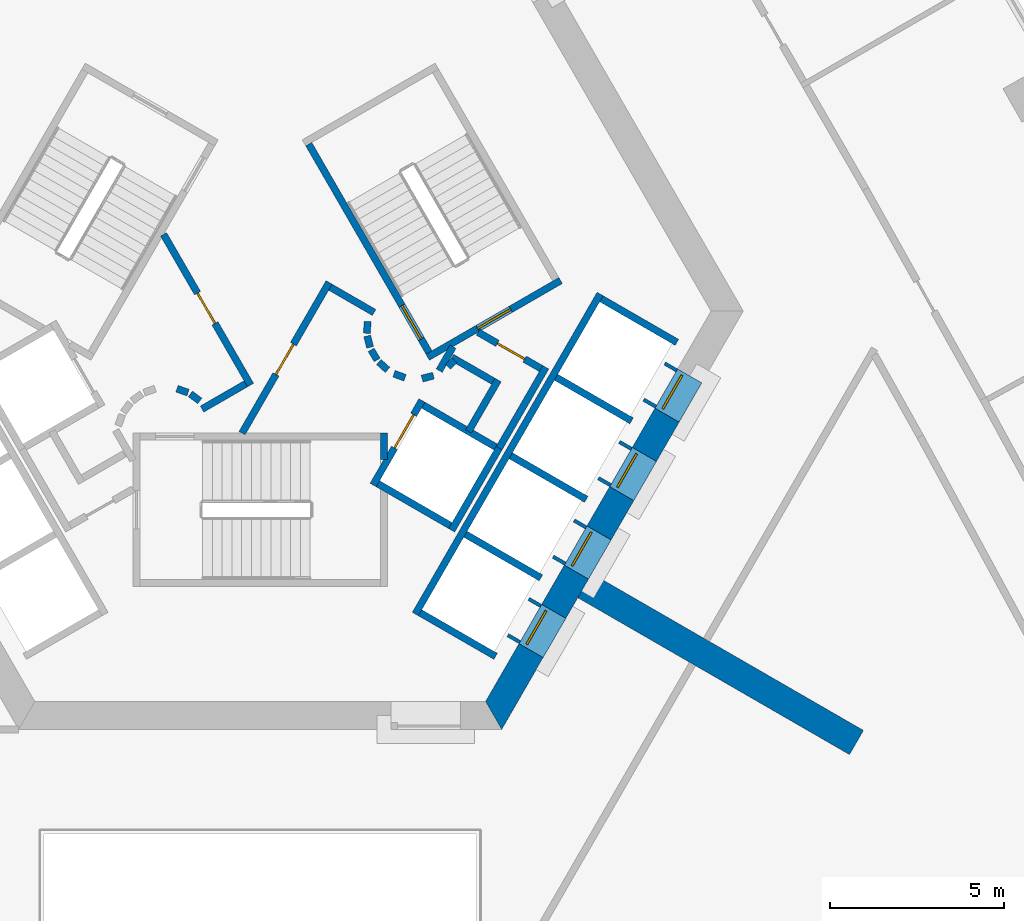
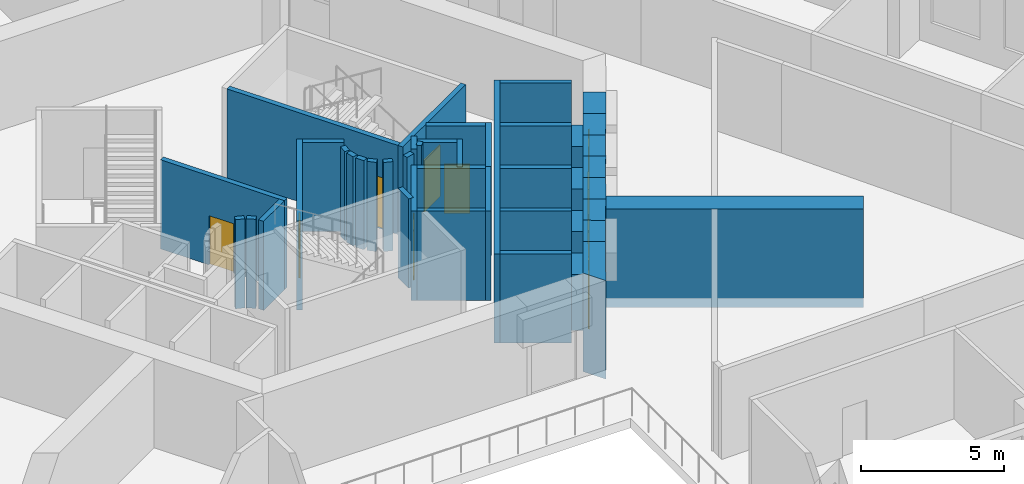
# One storey, part 7 of 14: 44 walls, 10 doors, 10 openings.
"""IFC4 building model written with IfcOpenShell, lengths in metres."""

from ifc_helpers import new_model, si_unit, direction, frame, frame_2d, origin, place, context, subcontext, project, spatial, polyline, rectangle, outline, extrude, material, layer, layer_set, type_object, element, fill, save


model = new_model("IFC4")

# Units and contexts
model_context = context("Model", 3, precision=1e-05, world=origin(), true_north=direction((0.0, 1.0)))
body_context = subcontext(model_context, "Body", "Model", "MODEL_VIEW")
ifc_project = project(units=[si_unit("LENGTHUNIT", "METRE"), si_unit("AREAUNIT", "SQUARE_METRE"), si_unit("VOLUMEUNIT", "CUBIC_METRE"), si_unit("PLANEANGLEUNIT", "RADIAN"), si_unit("MASSUNIT", "GRAM", prefix="KILO")], contexts=[model_context])

# Site, building, storey
site_placement = place(None, origin())
site = spatial("IfcSite", under=ifc_project, at=site_placement, CompositionType="ELEMENT")
building_placement = place(site_placement, origin())
building = spatial("IfcBuilding", under=site, at=building_placement, Name="Entoto Arch Interchange Tower", CompositionType="ELEMENT")
storey_placement = place(building_placement, frame((0.0, 0.0, 159.199951171875)))
storey = spatial("IfcBuildingStorey", under=building, at=storey_placement, Name="L35", CompositionType="ELEMENT", Elevation=159.199951171875)

# Walls
ifc_material_1 = material(Name="Concrete C50/60", Category="concrete")
ifc_layer_1 = layer(ifc_material_1, 0.800048828125)
ifc_layer_set_1 = layer_set([ifc_layer_1], Name="Concrete C50/60")
wall_type_1 = type_object("IfcWallType", Name="Buttress wall 800 C50/60", PredefinedType="SHEAR", material=ifc_layer_set_1)
wall_1_placement = place(storey_placement, frame((9.31005859375, -5.375, -0.39990234375), z_axis=(0.0, 0.0, 1.0), x_axis=(0.866017533419, -0.500013631625, 0.0)))
element("IfcWall", 1, at=wall_1_placement, inside=storey, type_object=wall_type_1, Name="Buttress wall SE L35", PredefinedType="SHEAR", context=body_context, shape_type="SweptSolid", body=[
    extrude(rectangle(XDim=8.999755859375, YDim=0.800048828125, at=frame_2d((4.5, 0.0))), origin(), (0.0, 0.0, 1.0), 4.199951171875),
])
ifc_layer_2 = layer(ifc_material_1, 0.800048828125)
ifc_layer_set_2 = layer_set([ifc_layer_2], Name="Concrete C50/60")
wall_type_2 = type_object("IfcWallType", Name="Core wall 800 C50/60", PredefinedType="SHEAR", material=ifc_layer_set_2)
wall_2_placement = place(storey_placement, frame((0.0, 0.0, -0.39990234375)))
element("IfcWall", 2, at=wall_2_placement, inside=storey, type_object=wall_type_2, Name="Core wall SE L35", PredefinedType="SHEAR", context=body_context, shape_type="SweptSolid", body=[
    extrude(outline(polyline([(8.116943359375, -7.43994140625), (7.424072265625, -7.0400390625), (6.466064453125, -8.699951171875), (6.927978515625, -9.5), (8.116943359375, -7.43994140625)])), origin(), (0.0, 0.0, 1.0), 4.199951171875),
])
wall_3_placement = place(storey_placement, frame((0.0, 0.0, -0.39990234375)))
element("IfcWall", 3, at=wall_3_placement, inside=storey, type_object=wall_type_2, Name="Core wall SE L35", PredefinedType="SHEAR", context=body_context, shape_type="SweptSolid", body=[
    extrude(outline(polyline([(9.4169921875, -5.18896484375), (8.72412109375, -4.7890625), (8.074951171875, -5.9140625), (8.76708984375, -6.31396484375), (9.4169921875, -5.18896484375)])), origin(), (0.0, 0.0, 1.0), 4.199951171875),
])
wall_4_placement = place(storey_placement, frame((0.0, 0.0, -0.39990234375)))
element("IfcWall", 4, at=wall_4_placement, inside=storey, type_object=wall_type_2, Name="Core wall SE L35", PredefinedType="SHEAR", context=body_context, shape_type="SweptSolid", body=[
    extrude(outline(polyline([(10.717041015625, -2.93701171875), (10.02490234375, -2.537109375), (9.3740234375, -3.6630859375), (10.06689453125, -4.06298828125), (10.717041015625, -2.93701171875)])), origin(), (0.0, 0.0, 1.0), 4.199951171875),
])
wall_5_placement = place(storey_placement, frame((0.0, 0.0, -0.39990234375)))
element("IfcWall", 5, at=wall_5_placement, inside=storey, type_object=wall_type_2, Name="Core wall SE L35", PredefinedType="SHEAR", context=body_context, shape_type="SweptSolid", body=[
    extrude(outline(polyline([(12.01708984375, -0.68603515625), (11.323974609375, -0.285888671875), (10.675048828125, -1.410888671875), (11.366943359375, -1.81103515625), (12.01708984375, -0.68603515625)])), origin(), (0.0, 0.0, 1.0), 4.199951171875),
])
wall_6_placement = place(storey_placement, frame((0.0, 0.0, 3.60009765625)))
element("IfcWall", 6, at=wall_6_placement, inside=storey, type_object=wall_type_2, Name="Core wall lintel SE L35", PredefinedType="SHEAR", context=body_context, shape_type="SweptSolid", body=[
    extrude(outline(polyline([(8.76708984375, -6.31396484375), (8.074951171875, -5.9140625), (7.424072265625, -7.0400390625), (8.116943359375, -7.43994140625), (8.76708984375, -6.31396484375)])), origin(), (0.0, 0.0, 1.0), 0.199951171875),
])
wall_7_placement = place(storey_placement, frame((0.0, 0.0, 3.60009765625)))
element("IfcWall", 7, at=wall_7_placement, inside=storey, type_object=wall_type_2, Name="Core wall lintel SE L35", PredefinedType="SHEAR", context=body_context, shape_type="SweptSolid", body=[
    extrude(outline(polyline([(10.06689453125, -4.06298828125), (9.3740234375, -3.6630859375), (8.72412109375, -4.7890625), (9.4169921875, -5.18896484375), (10.06689453125, -4.06298828125)])), origin(), (0.0, 0.0, 1.0), 0.199951171875),
])
wall_8_placement = place(storey_placement, frame((0.0, 0.0, 3.60009765625)))
element("IfcWall", 8, at=wall_8_placement, inside=storey, type_object=wall_type_2, Name="Core wall lintel SE L35", PredefinedType="SHEAR", context=body_context, shape_type="SweptSolid", body=[
    extrude(outline(polyline([(11.366943359375, -1.81103515625), (10.675048828125, -1.410888671875), (10.02490234375, -2.537109375), (10.717041015625, -2.93701171875), (11.366943359375, -1.81103515625)])), origin(), (0.0, 0.0, 1.0), 0.199951171875),
])
wall_9_placement = place(storey_placement, frame((0.0, 0.0, 3.60009765625)))
element("IfcWall", 9, at=wall_9_placement, inside=storey, type_object=wall_type_2, Name="Core wall lintel SE L35", PredefinedType="SHEAR", context=body_context, shape_type="SweptSolid", body=[
    extrude(outline(polyline([(12.6669921875, 0.43994140625), (11.97412109375, 0.840087890625), (11.323974609375, -0.285888671875), (12.01708984375, -0.68603515625), (12.6669921875, 0.43994140625)])), origin(), (0.0, 0.0, 1.0), 0.199951171875),
])

# Wall, opening, door
ifc_material_2 = material(Name="Concrete C40/50", Category="concrete")
ifc_layer_3 = layer(ifc_material_2, 1.199951171875)
ifc_layer_set_3 = layer_set([ifc_layer_3], Name="Concrete C40/50")
wall_type_3 = type_object("IfcWallType", Name="LIFT LANDING INFILL WALL", PredefinedType="STANDARD", material=ifc_layer_set_3)
wall_10_placement = place(storey_placement, frame((7.597900390625, -7.139892578125, 0.0), z_axis=(0.0, 0.0, 1.0), x_axis=(0.500362116554, 0.865816234728, 0.0)))
wall_10 = element("IfcWall", 10, at=wall_10_placement, inside=storey, type_object=wall_type_3, Name="Lift landing infill wall LR5 L35", PredefinedType="STANDARD", context=body_context, shape_type="SweptSolid", body=[
    extrude(rectangle(XDim=1.29931640625, YDim=1.199951171875, at=frame_2d((0.649658203125, 0.0))), origin(), (0.0, 0.0, 1.0), 2.400146484375),
])
opening_1_placement = place(wall_10_placement, frame((0.10009765625, 0.0, 0.0)))
opening_1 = element("IfcOpeningElement", 11, at=opening_1_placement, cuts=wall_10, Name="Opening LD-LR5-L35", PredefinedType="OPENING", context=body_context, shape_type="SweptSolid", body=[
    extrude(rectangle(XDim=1.10009765625, YDim=2.300048828125, at=frame_2d((0.550048828125, 1.14990234375))), frame((0.0, 0.60986328125, 0.0), z_axis=(0.0, -1.0, 0.0), x_axis=(1.0, 0.0, 0.0)), (0.0, 0.0, 1.0), 1.219970703125),
])
ifc_material_3 = material(Name="Stainless steel 1.4301 panels", Category="steel")
door_type_1 = type_object("IfcDoorType", Name="LIFT LANDING DOOR LD2 1100x2300", OperationType="SLIDING_TO_LEFT", PredefinedType="DOOR", material=ifc_material_3)
door_1_placement = place(opening_1_placement, origin())
door_1 = element("IfcDoor", 12, at=door_1_placement, inside=storey, type_object=door_type_1, Name="Lift landing door LR5 L35", OperationType="SLIDING_TO_LEFT", OverallHeight=2.300048828125, OverallWidth=1.10009765625, PredefinedType="DOOR", context=body_context, shape_type="SweptSolid", body=[
    extrude(rectangle(XDim=1.10009765625, YDim=2.300048828125, at=frame_2d((0.550048828125, 1.14990234375))), frame((0.0, 0.02490234375, 0.0), z_axis=(0.0, -1.0, 0.0), x_axis=(1.0, 0.0, 0.0)), (0.0, 0.0, 1.0), 0.050048828125),
])
fill(opening_1, door_1)

wall_11_placement = place(storey_placement, frame((8.89794921875, -4.888916015625, 0.0), z_axis=(0.0, 0.0, 1.0), x_axis=(0.500036693733, 0.866004217611, 0.0)))
wall_11 = element("IfcWall", 13, at=wall_11_placement, inside=storey, type_object=wall_type_3, Name="Lift landing infill wall LR6 L35", PredefinedType="STANDARD", context=body_context, shape_type="SweptSolid", body=[
    extrude(rectangle(XDim=1.30029296875, YDim=1.199951171875, at=frame_2d((0.650146484375, 0.0))), origin(), (0.0, 0.0, 1.0), 2.400146484375),
])
opening_2_placement = place(wall_11_placement, frame((0.10009765625, 0.0, 0.0)))
opening_2 = element("IfcOpeningElement", 14, at=opening_2_placement, cuts=wall_11, Name="Opening LD-LR6-L35", PredefinedType="OPENING", context=body_context, shape_type="SweptSolid", body=[
    extrude(rectangle(XDim=1.10009765625, YDim=2.300048828125, at=frame_2d((0.550048828125, 1.14990234375))), frame((0.0, 0.60986328125, 0.0), z_axis=(0.0, -1.0, 0.0), x_axis=(1.0, 0.0, 0.0)), (0.0, 0.0, 1.0), 1.219970703125),
])
door_2_placement = place(opening_2_placement, origin())
door_2 = element("IfcDoor", 15, at=door_2_placement, inside=storey, type_object=door_type_1, Name="Lift landing door LR6 L35", OperationType="SLIDING_TO_LEFT", OverallHeight=2.300048828125, OverallWidth=1.10009765625, PredefinedType="DOOR", context=body_context, shape_type="SweptSolid", body=[
    extrude(rectangle(XDim=1.10009765625, YDim=2.300048828125, at=frame_2d((0.550048828125, 1.14990234375))), frame((0.0, 0.02490234375, 0.0), z_axis=(0.0, -1.0, 0.0), x_axis=(1.0, 0.0, 0.0)), (0.0, 0.0, 1.0), 0.050048828125),
])
fill(opening_2, door_2)

wall_12_placement = place(storey_placement, frame((10.197998046875, -2.636962890625, 0.0), z_axis=(0.0, 0.0, 1.0), x_axis=(0.49989585183, 0.866085525409, 0.0)))
wall_12 = element("IfcWall", 16, at=wall_12_placement, inside=storey, type_object=wall_type_3, Name="Lift landing infill wall LR7 L35", PredefinedType="STANDARD", context=body_context, shape_type="SweptSolid", body=[
    extrude(rectangle(XDim=1.300048828125, YDim=1.199951171875, at=frame_2d((0.64990234375, 0.0))), origin(), (0.0, 0.0, 1.0), 2.400146484375),
])
opening_3_placement = place(wall_12_placement, frame((0.10009765625, 0.0, 0.0)))
opening_3 = element("IfcOpeningElement", 17, at=opening_3_placement, cuts=wall_12, Name="Opening LD-LR7-L35", PredefinedType="OPENING", context=body_context, shape_type="SweptSolid", body=[
    extrude(rectangle(XDim=1.10009765625, YDim=2.300048828125, at=frame_2d((0.550048828125, 1.14990234375))), frame((0.0, 0.60986328125, 0.0), z_axis=(0.0, -1.0, 0.0), x_axis=(1.0, 0.0, 0.0)), (0.0, 0.0, 1.0), 1.219970703125),
])
door_3_placement = place(opening_3_placement, origin())
door_3 = element("IfcDoor", 18, at=door_3_placement, inside=storey, type_object=door_type_1, Name="Lift landing door LR7 L35", OperationType="SLIDING_TO_LEFT", OverallHeight=2.300048828125, OverallWidth=1.10009765625, PredefinedType="DOOR", context=body_context, shape_type="SweptSolid", body=[
    extrude(rectangle(XDim=1.10009765625, YDim=2.300048828125, at=frame_2d((0.550048828125, 1.14990234375))), frame((0.0, 0.02490234375, 0.0), z_axis=(0.0, -1.0, 0.0), x_axis=(1.0, 0.0, 0.0)), (0.0, 0.0, 1.0), 0.050048828125),
])
fill(opening_3, door_3)

wall_13_placement = place(storey_placement, frame((11.498046875, -0.385009765625, 0.0), z_axis=(0.0, 0.0, 1.0), x_axis=(0.500221244143, 0.865897630733, 0.0)))
wall_13 = element("IfcWall", 19, at=wall_13_placement, inside=storey, type_object=wall_type_3, Name="Lift landing infill wall LR8 L35", PredefinedType="STANDARD", context=body_context, shape_type="SweptSolid", body=[
    extrude(rectangle(XDim=1.29931640625, YDim=1.199951171875, at=frame_2d((0.649658203125, 0.0))), origin(), (0.0, 0.0, 1.0), 2.400146484375),
])
opening_4_placement = place(wall_13_placement, frame((0.10009765625, 0.0, 0.0)))
opening_4 = element("IfcOpeningElement", 20, at=opening_4_placement, cuts=wall_13, Name="Opening LD-LR8-L35", PredefinedType="OPENING", context=body_context, shape_type="SweptSolid", body=[
    extrude(rectangle(XDim=1.10009765625, YDim=2.300048828125, at=frame_2d((0.550048828125, 1.14990234375))), frame((0.0, 0.60986328125, 0.0), z_axis=(0.0, -1.0, 0.0), x_axis=(1.0, 0.0, 0.0)), (0.0, 0.0, 1.0), 1.219970703125),
])
door_4_placement = place(opening_4_placement, origin())
door_4 = element("IfcDoor", 21, at=door_4_placement, inside=storey, type_object=door_type_1, Name="Lift landing door LR8 L35", OperationType="SLIDING_TO_LEFT", OverallHeight=2.300048828125, OverallWidth=1.10009765625, PredefinedType="DOOR", context=body_context, shape_type="SweptSolid", body=[
    extrude(rectangle(XDim=1.10009765625, YDim=2.300048828125, at=frame_2d((0.550048828125, 1.14990234375))), frame((0.0, 0.02490234375, 0.0), z_axis=(0.0, -1.0, 0.0), x_axis=(1.0, 0.0, 0.0)), (0.0, 0.0, 1.0), 0.050048828125),
])
fill(opening_4, door_4)

ifc_layer_4 = layer(ifc_material_2, 0.199951171875)
ifc_layer_set_4 = layer_set([ifc_layer_4], Name="Concrete C40/50")
wall_type_4 = type_object("IfcWallType", Name="LIFT SHAFT WALL 200", PredefinedType="STANDARD", material=ifc_layer_set_4)
wall_14_placement = place(storey_placement, frame((3.239990234375, -2.488037109375, 0.0), z_axis=(0.0, 0.0, 1.0), x_axis=(0.49994636267, 0.866056369097, 0.0)))
wall_14 = element("IfcWall", 22, at=wall_14_placement, inside=storey, type_object=wall_type_4, Name="Shaft wall SE1 front", PredefinedType="STANDARD", context=body_context, shape_type="SweptSolid", body=[
    extrude(rectangle(XDim=2.800048828125, YDim=0.199951171875, at=frame_2d((1.39990234375, 0.0))), origin(), (0.0, 0.0, 1.0), 3.800048828125),
])
opening_5_placement = place(wall_14_placement, frame((1.22509765625, 0.0, 0.0)))
opening_5 = element("IfcOpeningElement", 23, at=opening_5_placement, cuts=wall_14, Name="Opening LD-FF1-L35", PredefinedType="OPENING", context=body_context, shape_type="SweptSolid", body=[
    extrude(rectangle(XDim=1.10009765625, YDim=2.10009765625, at=frame_2d((0.550048828125, 1.050048828125))), frame((0.0, 0.10986328125, 0.0), z_axis=(0.0, -1.0, 0.0), x_axis=(1.0, 0.0, 0.0)), (0.0, 0.0, 1.0), 0.219970703125),
])
door_type_2 = type_object("IfcDoorType", Name="LIFT LANDING DOOR LD1 1100x2100", OperationType="SLIDING_TO_LEFT", PredefinedType="DOOR", material=ifc_material_3)
door_5_placement = place(opening_5_placement, origin())
door_5 = element("IfcDoor", 24, at=door_5_placement, inside=storey, type_object=door_type_2, Name="Lift landing door FF1 L35", OperationType="SLIDING_TO_LEFT", OverallHeight=2.10009765625, OverallWidth=1.10009765625, PredefinedType="DOOR", context=body_context, shape_type="SweptSolid", body=[
    extrude(rectangle(XDim=1.10009765625, YDim=2.10009765625, at=frame_2d((0.550048828125, 1.050048828125))), frame((0.0, 0.02490234375, 0.0), z_axis=(0.0, -1.0, 0.0), x_axis=(1.0, 0.0, 0.0)), (0.0, 0.0, 1.0), 0.050048828125),
])
fill(opening_5, door_5)

# Walls
wall_15_placement = place(storey_placement, frame((5.491943359375, -3.7880859375, 0.0), z_axis=(0.0, 0.0, 1.0), x_axis=(0.500011755427, 0.866018616679, 0.0)))
element("IfcWall", 25, at=wall_15_placement, inside=storey, type_object=wall_type_4, Name="Shaft wall SE1 back", PredefinedType="STANDARD", context=body_context, shape_type="SweptSolid", body=[
    extrude(rectangle(XDim=2.80029296875, YDim=0.199951171875, at=frame_2d((1.400146484375, 0.0))), origin(), (0.0, 0.0, 1.0), 3.800048828125),
])
wall_16_placement = place(storey_placement, frame((3.376953125, -2.451904296875, 0.0), z_axis=(0.0, 0.0, 1.0), x_axis=(0.865955154139, -0.50012165622, 0.0)))
element("IfcWall", 26, at=wall_16_placement, inside=storey, type_object=wall_type_4, Name="Shaft wall SE1 cross 1", PredefinedType="STANDARD", context=body_context, shape_type="SweptSolid", body=[
    extrude(rectangle(XDim=2.39990234375, YDim=0.199951171875, at=frame_2d((1.199951171875, 0.0))), origin(), (0.0, 0.0, 1.0), 3.800048828125),
])
wall_17_placement = place(storey_placement, frame((4.677001953125, -0.199951171875, 0.0), z_axis=(0.0, 0.0, 1.0), x_axis=(0.865973769406, -0.500089422704, 0.0)))
element("IfcWall", 27, at=wall_17_placement, inside=storey, type_object=wall_type_4, Name="Shaft wall SE1 cross 2", PredefinedType="STANDARD", context=body_context, shape_type="SweptSolid", body=[
    extrude(rectangle(XDim=2.3994140625, YDim=0.199951171875, at=frame_2d((1.19970703125, 0.0))), origin(), (0.0, 0.0, 1.0), 3.800048828125),
])
wall_18_placement = place(storey_placement, frame((4.450927734375, -6.18994140625, 0.0), z_axis=(0.0, 0.0, 1.0), x_axis=(0.50000090737, 0.866024879913, 0.0)))
element("IfcWall", 28, at=wall_18_placement, inside=storey, type_object=wall_type_4, Name="Shaft wall SE3 front", PredefinedType="STANDARD", context=body_context, shape_type="SweptSolid", body=[
    extrude(rectangle(XDim=10.60009765625, YDim=0.199951171875, at=frame_2d((5.300048828125, 0.0))), origin(), (0.0, 0.0, 1.0), 3.800048828125),
])
for number, where, z_axis, x_axis, name in (
    (29, (4.587890625, -6.153076171875, 0.0), (0.0, 0.0, 1.0), (0.866022959057, -0.500004234368, 0.0), "Shaft wall SE3 cross 1"),
    (30, (5.887939453125, -3.902099609375, 0.0), (0.0, 0.0, 1.0), (0.866022959057, -0.500004234368, 0.0), "Shaft wall SE3 cross 2"),
    (31, (7.18798828125, -1.64990234375, 0.0), (0.0, 0.0, 1.0), (0.866022959057, -0.500004234368, 0.0), "Shaft wall SE3 cross 3"),
    (32, (8.488037109375, 0.60205078125, 0.0), (0.0, 0.0, 1.0), (0.866022959057, -0.500004234368, 0.0), "Shaft wall SE3 cross 4"),
):
    element("IfcWall", number, at=place(storey_placement, frame(where, z_axis=z_axis, x_axis=x_axis)), inside=storey, type_object=wall_type_4, Name=name, PredefinedType="STANDARD", context=body_context, shape_type="SweptSolid", body=[
        extrude(rectangle(XDim=2.5, YDim=0.199951171875, at=frame_2d((1.25, 0.0))), origin(), (0.0, 0.0, 1.0), 3.800048828125),
    ])
wall_19_placement = place(storey_placement, frame((9.7880859375, 2.85302734375, 0.0), z_axis=(0.0, 0.0, 1.0), x_axis=(0.865998541277, -0.500046524342, 0.0)))
element("IfcWall", 33, at=wall_19_placement, inside=storey, type_object=wall_type_4, Name="Shaft wall SE3 cross 5", PredefinedType="STANDARD", context=body_context, shape_type="SweptSolid", body=[
    extrude(rectangle(XDim=2.499755859375, YDim=0.199951171875, at=frame_2d((1.25, 0.0))), origin(), (0.0, 0.0, 1.0), 3.800048828125),
])
ifc_material_4 = material(Name="Gypsum board partition on steel studs", Category="steel")
ifc_layer_5 = layer(ifc_material_4, 0.199951171875)
ifc_layer_set_5 = layer_set([ifc_layer_5], Name="Gypsum board partition on steel studs")
wall_type_5 = type_object("IfcWallType", Name="PARTITION 200", PredefinedType="PARTITIONING", material=ifc_layer_set_5)
wall_20_placement = place(storey_placement, frame((5.389892578125, 0.89794921875, 0.0), z_axis=(0.0, 0.0, 1.0), x_axis=(0.673828488714, 0.738887791073, 0.0)))
element("IfcWall", 34, at=wall_20_placement, inside=storey, type_object=wall_type_5, Name="wall:L35:p074", PredefinedType="PARTITIONING", context=body_context, shape_type="SweptSolid", body=[
    extrude(rectangle(XDim=0.2626953125, YDim=0.199951171875, at=frame_2d((0.13134765625, 0.0))), origin(), (0.0, 0.0, 1.0), 3.800048828125),
])
wall_21_placement = place(storey_placement, frame((5.4990234375, 1.172119140625, 0.0), z_axis=(0.0, 0.0, 1.0), x_axis=(0.866333505267, -0.499465972466, 0.0)))
element("IfcWall", 35, at=wall_21_placement, inside=storey, type_object=wall_type_5, Name="wall:L35:p075", PredefinedType="PARTITIONING", context=body_context, shape_type="SweptSolid", body=[
    extrude(rectangle(XDim=1.37353515625, YDim=0.199951171875, at=frame_2d((0.686767578125, 0.0))), origin(), (0.0, 0.0, 1.0), 3.800048828125),
])
wall_22_placement = place(storey_placement, frame((6.825927734375, 0.52197265625, 0.0), z_axis=(0.0, 0.0, 1.0), x_axis=(-0.500016722714, -0.866015748706, 0.0)))
element("IfcWall", 36, at=wall_22_placement, inside=storey, type_object=wall_type_5, Name="wall:L35:p076", PredefinedType="PARTITIONING", context=body_context, shape_type="SweptSolid", body=[
    extrude(rectangle(XDim=1.69970703125, YDim=0.199951171875, at=frame_2d((0.849853515625, 0.0))), origin(), (0.0, 0.0, 1.0), 3.800048828125),
])

# Wall, opening, door
wall_23_placement = place(storey_placement, frame((6.25, 1.89404296875, 0.0), z_axis=(0.0, 0.0, 1.0), x_axis=(0.866043184279, -0.499969202016, 0.0)))
wall_23 = element("IfcWall", 37, at=wall_23_placement, inside=storey, type_object=wall_type_5, Name="wall:L35:p077", PredefinedType="PARTITIONING", context=body_context, shape_type="SweptSolid", body=[
    extrude(rectangle(XDim=2.084228515625, YDim=0.199951171875, at=frame_2d((1.0419921875, 0.0))), origin(), (0.0, 0.0, 1.0), 3.800048828125),
])
opening_6_placement = place(wall_23_placement, frame((0.64208984375, 0.0, 0.0)))
opening_6 = element("IfcOpeningElement", 38, at=opening_6_placement, cuts=wall_23, Name="Opening L35-D32", PredefinedType="OPENING", context=body_context, shape_type="SweptSolid", body=[
    extrude(rectangle(XDim=0.89990234375, YDim=2.10009765625, at=frame_2d((0.449951171875, 1.050048828125))), frame((0.0, 0.10986328125, 0.0), z_axis=(0.0, -1.0, 0.0), x_axis=(1.0, 0.0, 0.0)), (0.0, 0.0, 1.0), 0.219970703125),
])
ifc_material_5 = material(Name="Timber door leaf in Steel S235 frame", Category="steel")
door_type_3 = type_object("IfcDoorType", Name="DOOR DS-09 900x2100", OperationType="SINGLE_SWING_LEFT", PredefinedType="DOOR", material=ifc_material_5)
door_6_placement = place(opening_6_placement, origin())
door_6 = element("IfcDoor", 39, at=door_6_placement, inside=storey, type_object=door_type_3, Name="door:L35:32", OperationType="SINGLE_SWING_LEFT", OverallHeight=2.10009765625, OverallWidth=0.89990234375, PredefinedType="DOOR", context=body_context, shape_type="SweptSolid", body=[
    extrude(rectangle(XDim=0.89990234375, YDim=2.10009765625, at=frame_2d((0.449951171875, 1.050048828125))), frame((0.0, 0.02490234375, 0.0), z_axis=(0.0, -1.0, 0.0), x_axis=(1.0, 0.0, 0.0)), (0.0, 0.0, 1.0), 0.050048828125),
])
fill(opening_6, door_6)

# Walls
wall_24_placement = place(storey_placement, frame((8.19189453125, 0.887939453125, 0.0), z_axis=(0.0, 0.0, 1.0), x_axis=(-0.499940625693, -0.866059680843, 0.0)))
element("IfcWall", 40, at=wall_24_placement, inside=storey, type_object=wall_type_5, Name="wall:L35:p078", PredefinedType="PARTITIONING", context=body_context, shape_type="SweptSolid", body=[
    extrude(rectangle(XDim=2.679931640625, YDim=0.199951171875, at=frame_2d((1.33984375, 0.0))), origin(), (0.0, 0.0, 1.0), 3.800048828125),
])
wall_25_placement = place(storey_placement, frame((5.135009765625, 0.79296875, 0.0), z_axis=(0.0, 0.0, 1.0), x_axis=(0.499526442893, 0.866298639529, 0.0)))
element("IfcWall", 41, at=wall_25_placement, inside=storey, type_object=wall_type_5, Name="wall:L35:p079", PredefinedType="PARTITIONING", context=body_context, shape_type="SweptSolid", body=[
    extrude(rectangle(XDim=0.790771484375, YDim=0.199951171875, at=frame_2d((0.3955078125, 0.0))), origin(), (0.0, 0.0, 1.0), 3.800048828125),
])

# Wall, opening, door
wall_26_placement = place(storey_placement, frame((-0.52001953125, -1.0, 0.0), z_axis=(0.0, 0.0, 1.0), x_axis=(0.50011622646, 0.865958290007, 0.0)))
wall_26 = element("IfcWall", 42, at=wall_26_placement, inside=storey, type_object=wall_type_5, Name="wall:L35:p088", PredefinedType="PARTITIONING", context=body_context, shape_type="SweptSolid", body=[
    extrude(rectangle(XDim=4.990966796875, YDim=0.199951171875, at=frame_2d((2.49560546875, 0.0))), origin(), (0.0, 0.0, 1.0), 3.800048828125),
])
opening_7_placement = place(wall_26_placement, frame((1.945068359375, 0.0, 0.0)))
opening_7 = element("IfcOpeningElement", 43, at=opening_7_placement, cuts=wall_26, Name="Opening L35-D30", PredefinedType="OPENING", context=body_context, shape_type="SweptSolid", body=[
    extrude(rectangle(XDim=1.0, YDim=2.10009765625, at=frame_2d((0.5, 1.050048828125))), frame((0.0, 0.10986328125, 0.0), z_axis=(0.0, -1.0, 0.0), x_axis=(1.0, 0.0, 0.0)), (0.0, 0.0, 1.0), 0.219970703125),
])
ifc_material_6 = material(Name="Fire-rated Steel S235 door and frame", Category="steel")
door_type_4 = type_object("IfcDoorType", Name="DOOR FD-10 1000x2100", OperationType="SINGLE_SWING_LEFT", PredefinedType="DOOR", material=ifc_material_6)
door_7_placement = place(opening_7_placement, origin())
door_7 = element("IfcDoor", 44, at=door_7_placement, inside=storey, type_object=door_type_4, Name="door:L35:30", OperationType="SINGLE_SWING_LEFT", OverallHeight=2.10009765625, OverallWidth=1.0, PredefinedType="DOOR", context=body_context, shape_type="SweptSolid", body=[
    extrude(rectangle(XDim=1.0, YDim=2.10009765625, at=frame_2d((0.5, 1.050048828125))), frame((0.0, 0.02490234375, 0.0), z_axis=(0.0, -1.0, 0.0), x_axis=(1.0, 0.0, 0.0)), (0.0, 0.0, 1.0), 0.050048828125),
])
fill(opening_7, door_7)

# Walls
wall_27_placement = place(storey_placement, frame((2.011962890625, 3.18603515625, 0.0), z_axis=(0.0, 0.0, 1.0), x_axis=(0.865891012941, -0.500232699559, 0.0)))
element("IfcWall", 45, at=wall_27_placement, inside=storey, type_object=wall_type_5, Name="wall:L35:p089", PredefinedType="PARTITIONING", context=body_context, shape_type="SweptSolid", body=[
    extrude(rectangle(XDim=1.449462890625, YDim=0.199951171875, at=frame_2d((0.724609375, 0.0))), origin(), (0.0, 0.0, 1.0), 3.800048828125),
])
wall_28_placement = place(storey_placement, frame((3.0791015625, 2.198974609375, 0.0), z_axis=(0.0, 0.0, 1.0), x_axis=(-0.047771483479, -0.998858290933, 0.0)))
element("IfcWall", 46, at=wall_28_placement, inside=storey, type_object=wall_type_5, Name="wall:L35:p090", PredefinedType="PARTITIONING", context=body_context, shape_type="SweptSolid", body=[
    extrude(rectangle(XDim=0.33740234375, YDim=0.199951171875, at=frame_2d((0.168701171875, 0.0))), origin(), (0.0, 0.0, 1.0), 3.800048828125),
])
wall_29_placement = place(storey_placement, frame((3.070068359375, 1.785888671875, 0.0), z_axis=(0.0, 0.0, 1.0), x_axis=(0.242705583207, -0.970099994784, 0.0)))
element("IfcWall", 47, at=wall_29_placement, inside=storey, type_object=wall_type_5, Name="wall:L35:p091", PredefinedType="PARTITIONING", context=body_context, shape_type="SweptSolid", body=[
    extrude(rectangle(XDim=0.337890625, YDim=0.199951171875, at=frame_2d((0.1689453125, 0.0))), origin(), (0.0, 0.0, 1.0), 3.800048828125),
])
for number, where, z_axis, x_axis, name in (
    (48, (3.181884765625, 1.387939453125, 0.0), (0.0, 0.0, 1.0), (0.512474702713, -0.85870232274, 0.0), "wall:L35:p092"),
    (49, (3.404052734375, 1.0390625, 0.0), (0.0, 0.0, 1.0), (0.740267097712, -0.672312891476, 0.0), "wall:L35:p093"),
):
    element("IfcWall", number, at=place(storey_placement, frame(where, z_axis=z_axis, x_axis=x_axis)), inside=storey, type_object=wall_type_5, Name=name, PredefinedType="PARTITIONING", context=body_context, shape_type="SweptSolid", body=[
        extrude(rectangle(XDim=0.337646484375, YDim=0.199951171875, at=frame_2d((0.1689453125, 0.0))), origin(), (0.0, 0.0, 1.0), 3.800048828125),
    ])
wall_30_placement = place(storey_placement, frame((3.837890625, 0.701904296875, 0.0), z_axis=(0.0, 0.0, 1.0), x_axis=(0.941035081519, -0.338308993895, 0.0)))
element("IfcWall", 50, at=wall_30_placement, inside=storey, type_object=wall_type_5, Name="wall:L35:p094", PredefinedType="PARTITIONING", context=body_context, shape_type="SweptSolid", body=[
    extrude(rectangle(XDim=0.3369140625, YDim=0.199951171875, at=frame_2d((0.16845703125, 0.0))), origin(), (0.0, 0.0, 1.0), 3.800048828125),
])
wall_31_placement = place(storey_placement, frame((4.64404296875, 0.56396484375, 0.0), z_axis=(0.0, 0.0, 1.0), x_axis=(0.969929076366, 0.243387729394, 0.0)))
element("IfcWall", 51, at=wall_31_placement, inside=storey, type_object=wall_type_5, Name="wall:L35:p095", PredefinedType="PARTITIONING", context=body_context, shape_type="SweptSolid", body=[
    extrude(rectangle(XDim=0.337158203125, YDim=0.199951171875, at=frame_2d((0.16845703125, 0.0))), origin(), (0.0, 0.0, 1.0), 3.800048828125),
])

# Wall, opening, door
wall_32_placement = place(storey_placement, frame((-2.77099609375, 4.699951171875, 0.0), z_axis=(0.0, 0.0, 1.0), x_axis=(0.499969479948, -0.866043023828, 0.0)))
wall_32 = element("IfcWall", 52, at=wall_32_placement, inside=storey, type_object=wall_type_5, Name="wall:L35:p096", PredefinedType="PARTITIONING", context=body_context, shape_type="SweptSolid", body=[
    extrude(rectangle(XDim=4.990478515625, YDim=0.199951171875, at=frame_2d((2.4951171875, 0.0))), origin(), (0.0, 0.0, 1.0), 3.800048828125),
])
opening_8_placement = place(wall_32_placement, frame((1.945068359375, 0.0, 0.0)))
opening_8 = element("IfcOpeningElement", 53, at=opening_8_placement, cuts=wall_32, Name="Opening L35-D31", PredefinedType="OPENING", context=body_context, shape_type="SweptSolid", body=[
    extrude(rectangle(XDim=1.0, YDim=2.10009765625, at=frame_2d((0.5, 1.050048828125))), frame((0.0, 0.10986328125, 0.0), z_axis=(0.0, -1.0, 0.0), x_axis=(1.0, 0.0, 0.0)), (0.0, 0.0, 1.0), 0.219970703125),
])
door_8_placement = place(opening_8_placement, origin())
door_8 = element("IfcDoor", 54, at=door_8_placement, inside=storey, type_object=door_type_4, Name="door:L35:31", OperationType="SINGLE_SWING_RIGHT", OverallHeight=2.10009765625, OverallWidth=1.0, PredefinedType="DOOR", context=body_context, shape_type="SweptSolid", body=[
    extrude(rectangle(XDim=1.0, YDim=2.10009765625, at=frame_2d((0.5, 1.050048828125))), frame((0.0, 0.02490234375, 0.0), z_axis=(0.0, -1.0, 0.0), x_axis=(1.0, 0.0, 0.0)), (0.0, 0.0, 1.0), 0.050048828125),
])
fill(opening_8, door_8)

# Walls
wall_33_placement = place(storey_placement, frame((-0.412109375, 0.4140625, 0.0), z_axis=(0.0, 0.0, 1.0), x_axis=(-0.866017369001, -0.500013916395, 0.0)))
element("IfcWall", 55, at=wall_33_placement, inside=storey, type_object=wall_type_5, Name="wall:L35:p097", PredefinedType="PARTITIONING", context=body_context, shape_type="SweptSolid", body=[
    extrude(rectangle(XDim=1.4501953125, YDim=0.199951171875, at=frame_2d((0.72509765625, 0.0))), origin(), (0.0, 0.0, 1.0), 3.800048828125),
])
wall_34_placement = place(storey_placement, frame((-1.73095703125, -0.076904296875, 0.0), z_axis=(0.0, 0.0, 1.0), x_axis=(-0.804311165252, 0.594208338422, 0.0)))
element("IfcWall", 56, at=wall_34_placement, inside=storey, type_object=wall_type_5, Name="wall:L35:p098", PredefinedType="PARTITIONING", context=body_context, shape_type="SweptSolid", body=[
    extrude(rectangle(XDim=0.338134765625, YDim=0.199951171875, at=frame_2d((0.1689453125, 0.0))), origin(), (0.0, 0.0, 1.0), 3.800048828125),
])
wall_35_placement = place(storey_placement, frame((-2.070068359375, 0.159912109375, 0.0), z_axis=(0.0, 0.0, 1.0), x_axis=(-0.942199461132, 0.335052496547, 0.0)))
element("IfcWall", 57, at=wall_35_placement, inside=storey, type_object=wall_type_5, Name="wall:L35:p099", PredefinedType="PARTITIONING", context=body_context, shape_type="SweptSolid", body=[
    extrude(rectangle(XDim=0.33740234375, YDim=0.199951171875, at=frame_2d((0.168701171875, 0.0))), origin(), (0.0, 0.0, 1.0), 3.800048828125),
])
ifc_layer_6 = layer(ifc_material_2, 0.199951171875)
ifc_layer_set_6 = layer_set([ifc_layer_6], Name="Concrete C40/50")
wall_type_6 = type_object("IfcWallType", Name="STAIR ENCLOSURE WALL 200", PredefinedType="STANDARD", material=ifc_layer_set_6)
wall_36_placement = place(storey_placement, frame((3.550048828125, -1.0, 0.0), z_axis=(0.0, 0.0, 1.0), x_axis=(0.0, -1.0, 0.0)))
element("IfcWall", 58, at=wall_36_placement, inside=storey, type_object=wall_type_6, Name="Stair wall ST-S far return", PredefinedType="STANDARD", context=body_context, shape_type="SweptSolid", body=[
    extrude(rectangle(XDim=0.7509765625, YDim=0.199951171875, at=frame_2d((0.37548828125, 0.0))), origin(), (0.0, 0.0, 1.0), 3.800048828125),
])

# Wall, opening, door
wall_37_placement = place(storey_placement, frame((4.805908203125, 1.176025390625, 0.0), z_axis=(0.0, 0.0, 1.0), x_axis=(0.866059941101, 0.499940174841, 0.0)))
wall_37 = element("IfcWall", 59, at=wall_37_placement, inside=storey, type_object=wall_type_6, Name="Stair wall ST-NE near", PredefinedType="STANDARD", context=body_context, shape_type="SweptSolid", body=[
    extrude(rectangle(XDim=4.400390625, YDim=0.199951171875, at=frame_2d((2.2001953125, 0.0))), origin(), (0.0, 0.0, 1.0), 3.800048828125),
])
opening_9_placement = place(wall_37_placement, frame((1.64990234375, 0.0, 0.0)))
opening_9 = element("IfcOpeningElement", 60, at=opening_9_placement, cuts=wall_37, Name="Opening SD-ST-NE-L35-E", PredefinedType="OPENING", context=body_context, shape_type="SweptSolid", body=[
    extrude(rectangle(XDim=1.10009765625, YDim=2.199951171875, at=frame_2d((0.550048828125, 1.10009765625))), frame((0.0, 0.10986328125, 0.0), z_axis=(0.0, -1.0, 0.0), x_axis=(1.0, 0.0, 0.0)), (0.0, 0.0, 1.0), 0.219970703125),
])
ifc_material_7 = material(Name="Steel S235", Category="steel")
door_type_5 = type_object("IfcDoorType", Name="STAIR DOOR SD1 1100x2200", OperationType="SINGLE_SWING_LEFT", PredefinedType="DOOR", material=ifc_material_7)
door_9_placement = place(opening_9_placement, origin())
door_9 = element("IfcDoor", 61, at=door_9_placement, inside=storey, type_object=door_type_5, Name="Stair door ST-NE L35 end", OperationType="SINGLE_SWING_LEFT", OverallHeight=2.199951171875, OverallWidth=1.10009765625, PredefinedType="DOOR", context=body_context, shape_type="SweptSolid", body=[
    extrude(rectangle(XDim=1.10009765625, YDim=2.199951171875, at=frame_2d((0.550048828125, 1.10009765625))), frame((0.0, 0.02490234375, 0.0), z_axis=(0.0, -1.0, 0.0), x_axis=(1.0, 0.0, 0.0)), (0.0, 0.0, 1.0), 0.050048828125),
])
fill(opening_9, door_9)

wall_38_placement = place(storey_placement, frame((4.843017578125, 1.31201171875, 0.0), z_axis=(0.0, 0.0, 1.0), x_axis=(-0.499963383562, 0.866046543262, 0.0)))
wall_38 = element("IfcWall", 62, at=wall_38_placement, inside=storey, type_object=wall_type_6, Name="Stair wall ST-NE hall", PredefinedType="STANDARD", context=body_context, shape_type="SweptSolid", body=[
    extrude(rectangle(XDim=6.900390625, YDim=0.199951171875, at=frame_2d((3.4501953125, 0.0))), origin(), (0.0, 0.0, 1.0), 3.800048828125),
])
opening_10_placement = place(wall_38_placement, frame((0.449951171875, 0.0, 0.0)))
opening_10 = element("IfcOpeningElement", 63, at=opening_10_placement, cuts=wall_38, Name="Opening SD-ST-NE-L35", PredefinedType="OPENING", context=body_context, shape_type="SweptSolid", body=[
    extrude(rectangle(XDim=1.10009765625, YDim=2.199951171875, at=frame_2d((0.550048828125, 1.10009765625))), frame((0.0, 0.10986328125, 0.0), z_axis=(0.0, -1.0, 0.0), x_axis=(1.0, 0.0, 0.0)), (0.0, 0.0, 1.0), 0.219970703125),
])
door_10_placement = place(opening_10_placement, origin())
door_10 = element("IfcDoor", 64, at=door_10_placement, inside=storey, type_object=door_type_5, Name="Stair door ST-NE L35", OperationType="SINGLE_SWING_LEFT", OverallHeight=2.199951171875, OverallWidth=1.10009765625, PredefinedType="DOOR", context=body_context, shape_type="SweptSolid", body=[
    extrude(rectangle(XDim=1.10009765625, YDim=2.199951171875, at=frame_2d((0.550048828125, 1.10009765625))), frame((0.0, 0.02490234375, 0.0), z_axis=(0.0, -1.0, 0.0), x_axis=(1.0, 0.0, 0.0)), (0.0, 0.0, 1.0), 0.050048828125),
])
fill(opening_10, door_10)

save(model, "model.ifc")
